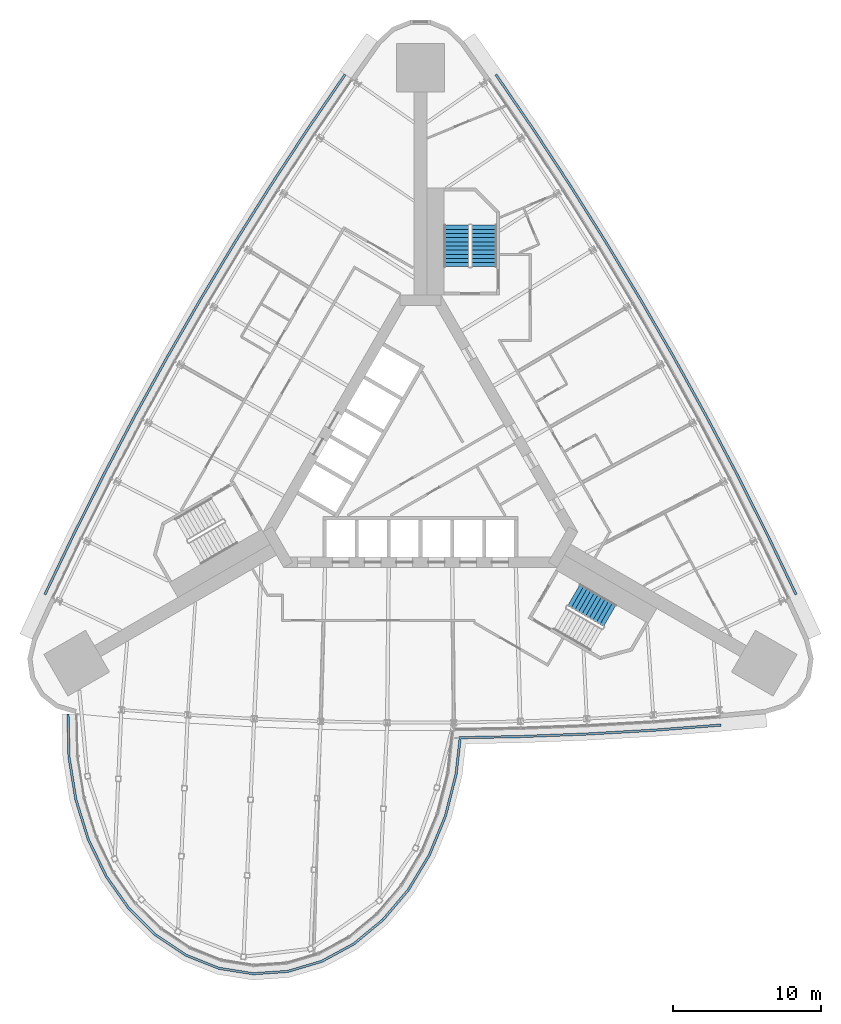
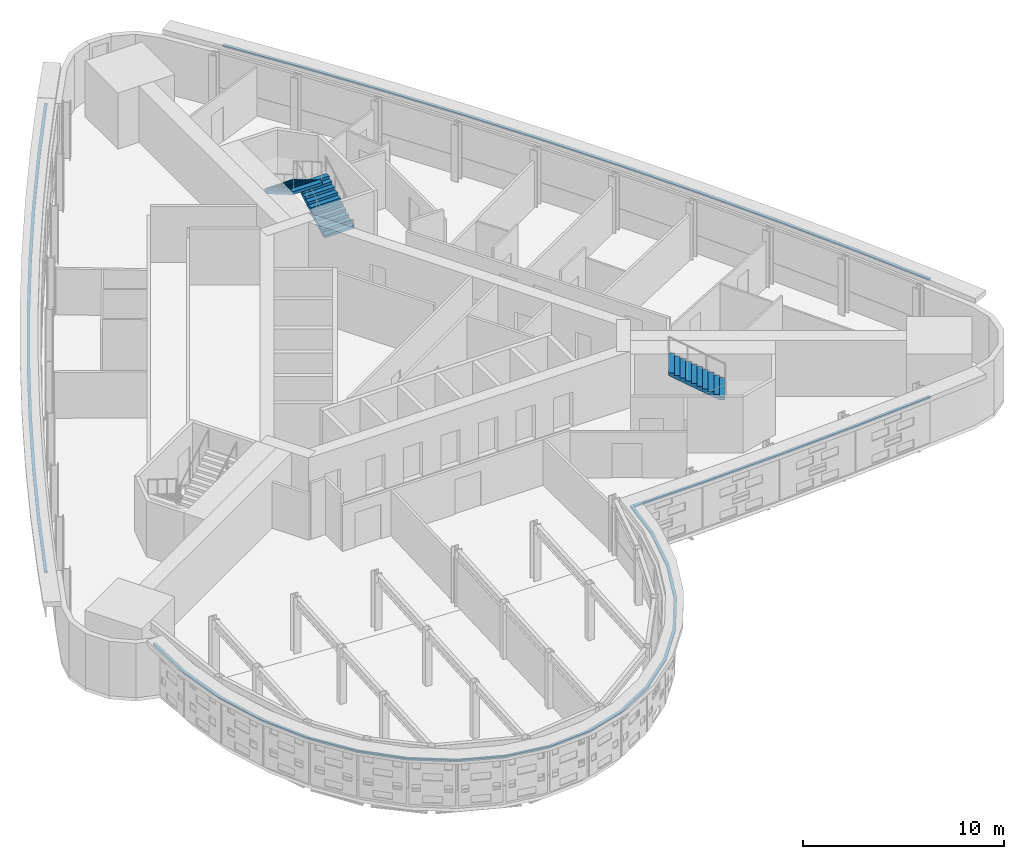
# One storey, part 13 of 16: 3 discrete accessories, 3 stair flights, 2 elements without a shape of their own.
"""IFC4 building model written with IfcOpenShell, lengths in metres."""

from ifc_helpers import new_model, si_unit, direction, frame, origin, place, context, subcontext, project, spatial, polyline, outline, extrude, material, type_object, element, aggregate, save


model = new_model("IFC4")

# Units and contexts
model_context = context("Model", 3, precision=1e-05, world=origin(), true_north=direction((0.0, 1.0)))
body_context = subcontext(model_context, "Body", "Model", "MODEL_VIEW")
ifc_project = project(units=[si_unit("LENGTHUNIT", "METRE"), si_unit("AREAUNIT", "SQUARE_METRE"), si_unit("VOLUMEUNIT", "CUBIC_METRE"), si_unit("PLANEANGLEUNIT", "RADIAN"), si_unit("MASSUNIT", "GRAM", prefix="KILO")], contexts=[model_context])

# Site, building, storey
site_placement = place(None, origin())
site = spatial("IfcSite", under=ifc_project, at=site_placement, CompositionType="ELEMENT")
building_placement = place(site_placement, origin())
building = spatial("IfcBuilding", under=site, at=building_placement, Name="Noor Cloister Tower", CompositionType="ELEMENT")
storey_placement = place(building_placement, frame((0.0, 0.0, 65.39990234375)))
storey = spatial("IfcBuildingStorey", under=building, at=storey_placement, Name="L16", CompositionType="ELEMENT", Elevation=65.39990234375)

# Stair, stair flights
ifc_material_1 = material(Name="Concrete C40/50", Category="concrete")
stair_type = type_object("IfcStairType", Name="Exit stair 22 risers", PredefinedType="HALF_TURN_STAIR", material=ifc_material_1)
stair_1_placement = place(storey_placement, origin())
stair_1 = element("IfcStair", 1, at=stair_1_placement, inside=storey, type_object=stair_type, Name="Exit stair ST1 L16", PredefinedType="HALF_TURN_STAIR")
ifc_material_2 = material(Name="Concrete C40/50", Category="concrete")
stair_flight_type = type_object("IfcStairFlightType", Name="Exit stair flight", PredefinedType="STRAIGHT", material=ifc_material_2)
stair_flight_1_placement = place(storey_placement, frame((4.28564453125, 13.3564453125, 0.0), z_axis=(0.0, 0.0, 1.0), x_axis=(0.0, 1.0, 0.0)))
stair_flight_1 = element("IfcStairFlight", 2, at=stair_flight_1_placement, type_object=stair_flight_type, Name="ST1 flight 1", NumberOfRisers=11, NumberOfTreads=10, PredefinedType="STRAIGHT", RiserHeight=0.163636364, TreadLength=0.28, context=body_context, shape_type="SweptSolid", body=[
    extrude(outline(polyline([(0.0, 0.0), (0.0, 0.16357421875), (0.280029296875, 0.16357421875), (0.280029296875, 0.327392578125), (0.56005859375, 0.327392578125), (0.56005859375, 0.490966796875), (0.840087890625, 0.490966796875), (0.840087890625, 0.654541015625), (1.1201171875, 0.654541015625), (1.1201171875, 0.818115234375), (1.39990234375, 0.818115234375), (1.39990234375, 0.98193359375), (1.679931640625, 0.98193359375), (1.679931640625, 1.1455078125), (1.9599609375, 1.1455078125), (1.9599609375, 1.30908203125), (2.239990234375, 1.30908203125), (2.239990234375, 1.47265625), (2.52001953125, 1.47265625), (2.52001953125, 1.636474609375), (2.800048828125, 1.636474609375), (2.800048828125, 1.800048828125), (2.800048828125, 1.462646484375), (0.297119140625, 0.0), (0.0, 0.0)])), frame((0.0, 0.85009765625, 0.0), z_axis=(0.0, -1.0, 0.0), x_axis=(1.0, 0.0, 0.0)), (0.0, 0.0, 1.0), 1.699951171875),
])
stair_flight_2_placement = place(storey_placement, frame((2.435546875, 16.156494140625, 1.800048828125), z_axis=(0.0, 0.0, 1.0), x_axis=(0.0, -1.0, 0.0)))
stair_flight_2 = element("IfcStairFlight", 3, at=stair_flight_2_placement, type_object=stair_flight_type, Name="ST1 flight 2", NumberOfRisers=11, NumberOfTreads=10, PredefinedType="STRAIGHT", RiserHeight=0.163636364, TreadLength=0.28, context=body_context, shape_type="SweptSolid", body=[
    extrude(outline(polyline([(0.0, 0.0), (0.0, 0.16357421875), (0.280029296875, 0.16357421875), (0.280029296875, 0.327392578125), (0.56005859375, 0.327392578125), (0.56005859375, 0.490966796875), (0.840087890625, 0.490966796875), (0.840087890625, 0.654541015625), (1.1201171875, 0.654541015625), (1.1201171875, 0.818115234375), (1.39990234375, 0.818115234375), (1.39990234375, 0.98193359375), (1.679931640625, 0.98193359375), (1.679931640625, 1.1455078125), (1.9599609375, 1.1455078125), (1.9599609375, 1.30908203125), (2.239990234375, 1.30908203125), (2.239990234375, 1.47265625), (2.52001953125, 1.47265625), (2.52001953125, 1.636474609375), (2.800048828125, 1.636474609375), (2.800048828125, 1.800048828125), (2.800048828125, 1.462646484375), (0.297119140625, 0.0), (0.0, 0.0)])), frame((0.0, 0.85009765625, 0.0), z_axis=(0.0, -1.0, 0.0), x_axis=(1.0, 0.0, 0.0)), (0.0, 0.0, 1.0), 1.699951171875),
])
aggregate(stair_1, [stair_flight_1, stair_flight_2])

# Stair, stair flight
stair_2_placement = place(storey_placement, origin())
stair_2 = element("IfcStair", 4, at=stair_2_placement, inside=storey, type_object=stair_type, Name="Exit stair ST3 L16", PredefinedType="HALF_TURN_STAIR")
stair_flight_3_placement = place(storey_placement, frame((12.77392578125, -10.1875, 1.800048828125), z_axis=(0.0, 0.0, 1.0), x_axis=(-0.866025403784, 0.5, 0.0)))
stair_flight_3 = element("IfcStairFlight", 5, at=stair_flight_3_placement, type_object=stair_flight_type, Name="ST3 flight 2", NumberOfRisers=11, NumberOfTreads=10, PredefinedType="STRAIGHT", RiserHeight=0.163636364, TreadLength=0.28, context=body_context, shape_type="SweptSolid", body=[
    extrude(outline(polyline([(0.0, 0.0), (0.0, 0.16357421875), (0.280029296875, 0.16357421875), (0.280029296875, 0.327392578125), (0.56005859375, 0.327392578125), (0.56005859375, 0.490966796875), (0.840087890625, 0.490966796875), (0.840087890625, 0.654541015625), (1.1201171875, 0.654541015625), (1.1201171875, 0.818115234375), (1.39990234375, 0.818115234375), (1.39990234375, 0.98193359375), (1.679931640625, 0.98193359375), (1.679931640625, 1.1455078125), (1.9599609375, 1.1455078125), (1.9599609375, 1.30908203125), (2.239990234375, 1.30908203125), (2.239990234375, 1.47265625), (2.52001953125, 1.47265625), (2.52001953125, 1.636474609375), (2.800048828125, 1.636474609375), (2.800048828125, 1.800048828125), (2.800048828125, 1.462646484375), (0.297119140625, 0.0), (0.0, 0.0)])), frame((0.0, 0.85009765625, 0.0), z_axis=(0.0, -1.0, 0.0), x_axis=(1.0, 0.0, 0.0)), (0.0, 0.0, 1.0), 1.699951171875),
])
aggregate(stair_2, [stair_flight_3])

# Discrete accessories
ifc_material_3 = material(Name="Stainless steel grade 316", Category="steel")
discrete_accessory_type = type_object("IfcDiscreteAccessoryType", Name="Stainless hanger rail", PredefinedType="BRACKET", material=ifc_material_3)
discrete_accessory_1_placement = place(storey_placement, frame((0.0, 0.0, 3.2001953125)))
element("IfcDiscreteAccessory", 6, at=discrete_accessory_1_placement, inside=storey, type_object=discrete_accessory_type, Name="Hanger rail L16", PredefinedType="BRACKET", context=body_context, shape_type="SweptSolid", body=[
    extrude(outline(polyline([(-5.14599609375, 26.374267578125), (-7.689697265625, 22.65576171875), (-10.1650390625, 18.885009765625), (-12.56787109375, 15.067626953125), (-14.8974609375, 11.205078125), (-17.152587890625, 7.298828125), (-19.3330078125, 3.35009765625), (-21.4375, -0.639404296875), (-23.46533203125, -4.66845703125), (-25.413818359375, -8.730712890625), (-25.26953125, -8.7998046875), (-23.32177734375, -4.739013671875), (-21.295166015625, -0.712646484375), (-19.192138671875, 3.274169921875), (-17.013427734375, 7.22021484375), (-14.759521484375, 11.123779296875), (-12.431640625, 14.98388671875), (-10.030517578125, 18.798583984375), (-7.556884765625, 22.56689453125), (-5.013916015625, 26.283935546875), (-5.14599609375, 26.374267578125)])), origin(), (0.0, 0.0, 1.0), 0.099853515625),
])
discrete_accessory_2_placement = place(storey_placement, frame((0.0, 0.0, 3.2001953125)))
element("IfcDiscreteAccessory", 7, at=discrete_accessory_2_placement, inside=storey, type_object=discrete_accessory_type, Name="Hanger rail L16", PredefinedType="BRACKET", context=body_context, shape_type="SweptSolid", body=[
    extrude(outline(polyline([(-23.857177734375, -16.813232421875), (-23.790283203125, -19.72265625), (-23.325927734375, -22.60107421875), (-22.47705078125, -25.32568359375), (-21.266845703125, -27.815185546875), (-19.728515625, -29.9951171875), (-17.904541015625, -31.7978515625), (-15.846923828125, -33.1650390625), (-13.617431640625, -34.04931640625), (-11.286865234375, -34.418701171875), (-8.9326171875, -34.259033203125), (-6.6328125, -33.577392578125), (-4.461181640625, -32.399658203125), (-2.4833984375, -30.76708984375), (-0.756591796875, -28.7333984375), (0.671142578125, -26.36181640625), (1.760009765625, -23.72412109375), (2.47998046875, -20.898681640625), (2.75146484375, -18.49462890625), (6.76513671875, -18.41796875), (11.2724609375, -18.24560546875), (15.775634765625, -17.987548828125), (20.267822265625, -17.6435546875), (20.255615234375, -17.484130859375), (15.764892578125, -17.827880859375), (11.264892578125, -18.0859375), (6.760498046875, -18.258056640625), (2.608154296875, -18.33740234375), (2.322265625, -20.869873046875), (1.60791015625, -23.673583984375), (0.52783203125, -26.289794921875), (-0.886962890625, -28.639892578125), (-2.59619140625, -30.65283203125), (-4.55126953125, -32.266357421875), (-6.6943359375, -33.4287109375), (-8.9609375, -34.1005859375), (-11.279541015625, -34.2578125), (-13.574951171875, -33.89404296875), (-15.7724609375, -33.0224609375), (-17.80322265625, -31.673095703125), (-19.60595703125, -29.891357421875), (-21.128662109375, -27.733642578125), (-22.327880859375, -25.266357421875), (-23.169677734375, -22.564453125), (-23.630615234375, -19.7080078125), (-23.697265625, -16.8095703125), (-23.857177734375, -16.813232421875)])), origin(), (0.0, 0.0, 1.0), 0.099853515625),
])
discrete_accessory_3_placement = place(storey_placement, frame((0.0, 0.0, 3.2001953125)))
element("IfcDiscreteAccessory", 8, at=discrete_accessory_3_placement, inside=storey, type_object=discrete_accessory_type, Name="Hanger rail L16", PredefinedType="BRACKET", context=body_context, shape_type="SweptSolid", body=[
    extrude(outline(polyline([(25.413818359375, -8.730712890625), (23.46533203125, -4.66845703125), (21.4375, -0.639404296875), (19.3330078125, 3.35009765625), (17.152587890625, 7.298828125), (14.8974609375, 11.205078125), (12.56787109375, 15.067626953125), (10.1650390625, 18.885009765625), (7.689697265625, 22.65576171875), (5.14599609375, 26.374267578125), (5.013916015625, 26.283935546875), (7.556884765625, 22.56689453125), (10.030517578125, 18.798583984375), (12.431640625, 14.98388671875), (14.759521484375, 11.123779296875), (17.013427734375, 7.22021484375), (19.192138671875, 3.274169921875), (21.295166015625, -0.712646484375), (23.32177734375, -4.739013671875), (25.26953125, -8.7998046875), (25.413818359375, -8.730712890625)])), origin(), (0.0, 0.0, 1.0), 0.099853515625),
])

save(model, "model.ifc")
